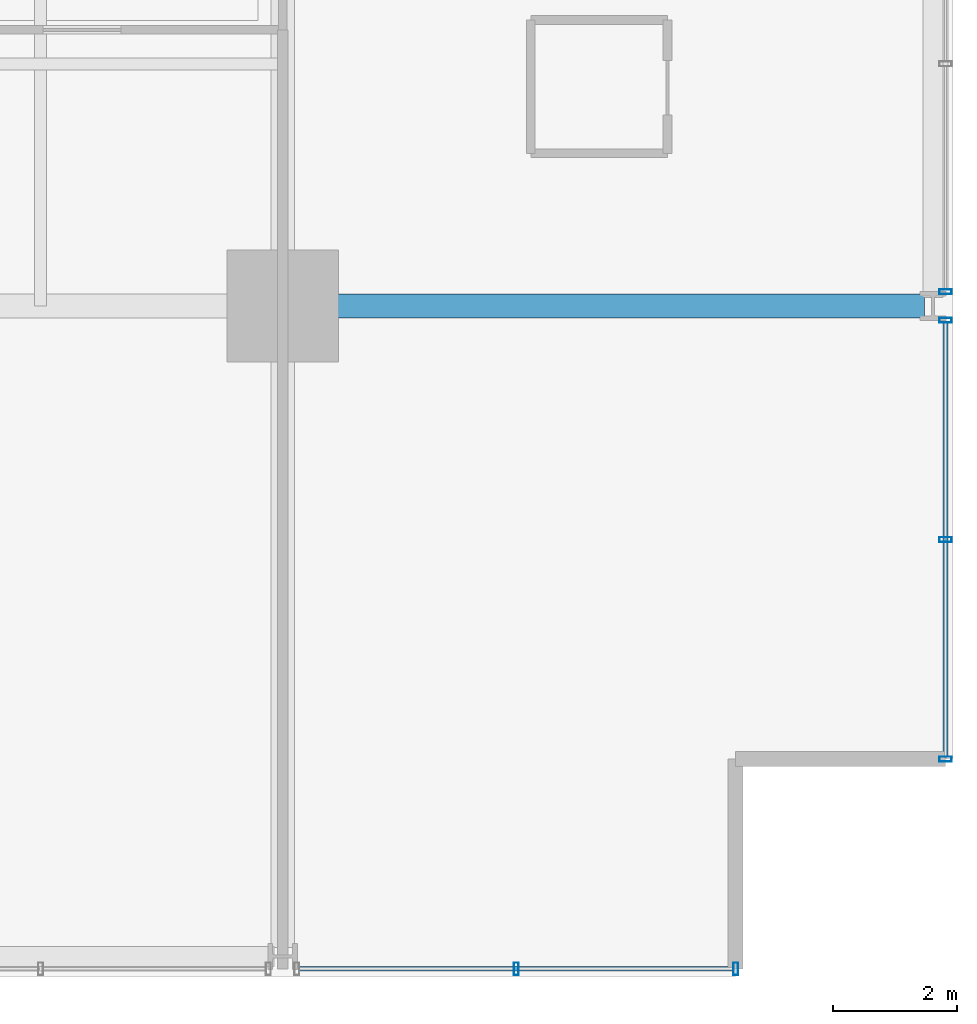
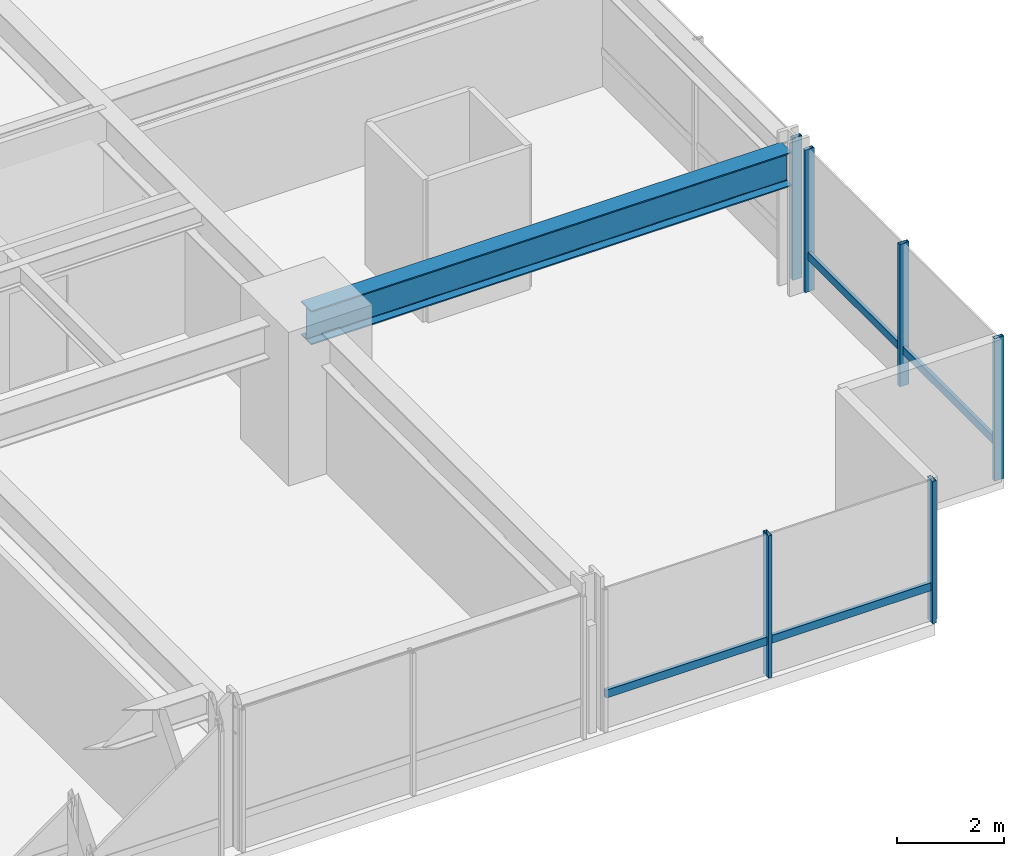
# One storey, part 13 of 37: 8 members, 1 beam, 3 elements without a shape of their own.
"""IFC4 building model written with IfcOpenShell, lengths in metres."""

import ifcopenshell
import ifcopenshell.guid

model = None  # the IFC model being written
_history = None  # IfcOwnerHistory: only IFC2X3 demands one
_inside = {}  # id of a spatial element -> (the spatial element, [elements in it])
_under = {}  # id of a project, library or spatial element -> (it, [spatial elements below it])
_declared = {}  # id of a project -> (the project, [libraries it declares])
_typed = {}  # id of a type object -> (the type object, [elements of that type])
_made_of = {}  # id of a material, layer set ... -> (it, [elements and type objects made of it])


def new_model(schema):
    """Start an empty IFC model of exactly this schema.

    Asked for "IFC4X3", IfcOpenShell would pick the latest addendum, in which some entities
    have other attributes; the version numbers below select the first issue.
    IFC2X3 requires an IfcOwnerHistory on every rooted entity: one is made here for all.
    """
    global model, _history
    if schema == "IFC4X3":
        model = ifcopenshell.file(schema_version=(4, 3, 0, 0))
    else:
        model = ifcopenshell.file(schema=schema)
    _inside.clear()
    _under.clear()
    _declared.clear()
    _typed.clear()
    _made_of.clear()
    _history = None
    if model.schema == "IFC2X3":
        org = make("IfcOrganization", Name="unknown")
        user = make(
            "IfcPersonAndOrganization",
            ThePerson=make("IfcPerson", FamilyName="unknown"),
            TheOrganization=org,
        )
        app = make(
            "IfcApplication",
            ApplicationDeveloper=org,
            Version="unknown",
            ApplicationFullName="unknown",
            ApplicationIdentifier="unknown",
        )
        _history = make(
            "IfcOwnerHistory",
            OwningUser=user,
            OwningApplication=app,
            ChangeAction="ADDED",
            CreationDate=0,
        )
    return model


def make(cls, **values):
    """One entity of the class cls with the attributes given. An attribute that is None is left unset."""
    return model.create_entity(
        cls, **{name: value for name, value in values.items() if value is not None}
    )


def rooted(cls, **values):
    """An entity with a GlobalId (a new one), such as an element, a storey or a relation."""
    return make(cls, GlobalId=ifcopenshell.guid.new(), OwnerHistory=_history, **values)


def si_unit(unit_type, name, prefix=None):
    """IfcSIUnit, for example si_unit("LENGTHUNIT", "METRE", prefix="MILLI")."""
    return make("IfcSIUnit", UnitType=unit_type, Prefix=prefix, Name=name)


def assignment(units):
    """IfcUnitAssignment: the units of a project."""
    return None if units is None else make("IfcUnitAssignment", Units=units)


def point(xyz):
    """IfcCartesianPoint."""
    return None if xyz is None else make("IfcCartesianPoint", Coordinates=xyz)


def direction(xyz):
    """IfcDirection."""
    return None if xyz is None else make("IfcDirection", DirectionRatios=xyz)


def frame(location, z_axis=None, x_axis=None):
    """IfcAxis2Placement3D, a coordinate frame: its origin and axes. An axis left out is left unset."""
    return make(
        "IfcAxis2Placement3D",
        Location=point(location),
        Axis=direction(z_axis),
        RefDirection=direction(x_axis),
    )


def frame_2d(location, x_axis=None):
    """IfcAxis2Placement2D, a coordinate frame in the plane: its origin and x axis."""
    return make(
        "IfcAxis2Placement2D", Location=point(location), RefDirection=direction(x_axis)
    )


def origin():
    """The frame at (0, 0, 0) with its axes left unset."""
    return frame((0.0, 0.0, 0.0))


def origin_2d():
    """The frame at (0, 0) in the plane with its x axis left unset."""
    return frame_2d((0.0, 0.0))


def place(relative_to, where):
    """IfcLocalPlacement: puts the frame where relative to a parent placement (None: the world)."""
    return make(
        "IfcLocalPlacement", PlacementRelTo=relative_to, RelativePlacement=where
    )


def context(
    kind, dimensions, precision=None, world=None, true_north=None, identifier=None
):
    """IfcGeometricRepresentationContext, for example the 3D "Model" context."""
    return make(
        "IfcGeometricRepresentationContext",
        ContextIdentifier=identifier,
        ContextType=kind,
        CoordinateSpaceDimension=dimensions,
        Precision=precision,
        WorldCoordinateSystem=world,
        TrueNorth=true_north,
    )


def subcontext(parent, identifier, kind, view, scale=None):
    """IfcGeometricRepresentationSubContext, for example "Body" below "Model"."""
    return make(
        "IfcGeometricRepresentationSubContext",
        ContextIdentifier=identifier,
        ContextType=kind,
        ParentContext=parent,
        TargetScale=scale,
        TargetView=view,
    )


def project(units=None, contexts=None):
    """IfcProject with its units and contexts."""
    return rooted(
        "IfcProject",
        Name="project",
        RepresentationContexts=contexts,
        UnitsInContext=assignment(units),
    )


def spatial(cls, under=None, at=None, **own):
    """A site, building, storey or space (cls), placed at a placement, below another one or the project."""
    s = rooted(cls, ObjectPlacement=at, **own)
    if under is not None:
        _under.setdefault(under.id(), (under, []))[1].append(s)
    return s


def profile(cls, at=None, kind="AREA", **sizes):
    """A parametric profile (cls). Its sizes go by their IFC names, for example OverallWidth=200.0."""
    return make(cls, ProfileType=kind, Position=at, **sizes)


def hollow_rectangle(**sizes):
    """IfcRectangleHollowProfileDef."""
    return profile("IfcRectangleHollowProfileDef", **sizes)


def i_section(**sizes):
    """IfcIShapeProfileDef."""
    return profile("IfcIShapeProfileDef", **sizes)


def extrude(swept, where, along, depth):
    """IfcExtrudedAreaSolid: the profile swept, set in the frame where, extruded along a direction by depth."""
    return make(
        "IfcExtrudedAreaSolid",
        SweptArea=swept,
        Position=where,
        ExtrudedDirection=direction(along),
        Depth=depth,
    )


def shape(context_of_items, identifier, shape_type, items):
    """IfcShapeRepresentation: the items that make up one representation, for example the "Body"."""
    return make(
        "IfcShapeRepresentation",
        ContextOfItems=context_of_items,
        RepresentationIdentifier=identifier,
        RepresentationType=shape_type,
        Items=items,
    )


def material(Name=None, Category=None):
    """IfcMaterial."""
    return make("IfcMaterial", Name=Name, Category=Category)


def layer(
    of_material, thickness, ventilated=None, Name=None, Category=None, Priority=None
):
    """IfcMaterialLayer: one layer of a wall or slab, of a material (None: an air gap)."""
    return make(
        "IfcMaterialLayer",
        Material=of_material,
        LayerThickness=thickness,
        IsVentilated=ventilated,
        Name=Name,
        Category=Category,
        Priority=Priority,
    )


def layer_set(layers, Name=None):
    """IfcMaterialLayerSet."""
    return make("IfcMaterialLayerSet", MaterialLayers=layers, LayerSetName=Name)


def material_profile(
    of_material, cross_section, Name=None, Category=None, Priority=None
):
    """IfcMaterialProfile: a cross section and its material."""
    return make(
        "IfcMaterialProfile",
        Name=Name,
        Material=of_material,
        Profile=cross_section,
        Priority=Priority,
        Category=Category,
    )


def profile_set(profiles, Name=None, composite=None):
    """IfcMaterialProfileSet."""
    return make(
        "IfcMaterialProfileSet",
        Name=Name,
        MaterialProfiles=profiles,
        CompositeProfile=composite,
    )


def made_of(thing, what):
    """Note that an element or type object is made of a material, layer set ...; save() writes the relation."""
    if what is not None:
        _made_of.setdefault(what.id(), (what, []))[1].append(thing)
    return thing


def type_object(cls, material=None, **own):
    """A type object (cls), such as IfcWallType, which elements share."""
    return made_of(rooted(cls, **own), material)


def element(
    cls,
    number,
    at=None,
    inside=None,
    cuts=None,
    type_object=None,
    material=None,
    context=None,
    identifier="Body",
    shape_type=None,
    held_by="IfcProductDefinitionShape",
    body=None,
    shapes=None,
    **own,
):
    """One element of the class cls, such as IfcWall. Its Tag is "e" and its number.

    at: its placement. inside: the storey or other place that contains it. cuts: it is an
    opening in that element (IfcRelVoidsElement). A single representation is given by context,
    identifier, shape_type and body (its items); several are given by shapes. held_by: the class
    of the entity that holds the representations. save() writes the other relations.
    """
    e = rooted(cls, Tag="e%d" % number, ObjectPlacement=at, **own)
    if body is not None:
        shapes = [shape(context, identifier, shape_type, body)]
    if shapes is not None:
        e.Representation = make(held_by, Representations=shapes)
    if inside is not None:
        _inside.setdefault(inside.id(), (inside, []))[1].append(e)
    if cuts is not None:
        rooted(
            "IfcRelVoidsElement", RelatingBuildingElement=cuts, RelatedOpeningElement=e
        )
    if type_object is not None:
        _typed.setdefault(type_object.id(), (type_object, []))[1].append(e)
    return made_of(e, material)


def aggregate(whole, parts):
    """IfcRelAggregates: a whole, such as a stair, and the parts it consists of."""
    return rooted("IfcRelAggregates", RelatingObject=whole, RelatedObjects=parts)


def save(model, path):
    """Write the relations noted so far, then the file.

    IfcRelAggregates (storeys below a building ...), IfcRelContainedInSpatialStructure (elements
    in a storey), IfcRelDefinesByType, IfcRelAssociatesMaterial and IfcRelDeclares: one each for
    every whole, place, type object, material and project.
    """
    for whole, parts in _under.values():
        aggregate(whole, parts)
    for where, things in _inside.values():
        rooted(
            "IfcRelContainedInSpatialStructure",
            RelatedElements=things,
            RelatingStructure=where,
        )
    for kind, things in _typed.values():
        rooted("IfcRelDefinesByType", RelatedObjects=things, RelatingType=kind)
    for what, things in _made_of.values():
        rooted("IfcRelAssociatesMaterial", RelatedObjects=things, RelatingMaterial=what)
    for by, libraries in _declared.values():
        rooted("IfcRelDeclares", RelatingContext=by, RelatedDefinitions=libraries)
    model.write(path)


model = new_model("IFC4")

# Units and contexts
model_context = context("Model", 3, precision=1e-05, world=origin(), true_north=direction((0.0, 1.0)))
body_context = subcontext(model_context, "Body", "Model", "MODEL_VIEW")
ifc_project = project(units=[si_unit("LENGTHUNIT", "METRE"), si_unit("AREAUNIT", "SQUARE_METRE"), si_unit("VOLUMEUNIT", "CUBIC_METRE"), si_unit("PLANEANGLEUNIT", "RADIAN"), si_unit("MASSUNIT", "GRAM", prefix="KILO")], contexts=[model_context])

# Site, building, storey
site_placement = place(None, origin())
site = spatial("IfcSite", under=ifc_project, at=site_placement, CompositionType="ELEMENT")
building_placement = place(site_placement, origin())
building = spatial("IfcBuilding", under=site, at=building_placement, Name="Drelvath Grand Hotel", CompositionType="ELEMENT")
storey_placement = place(building_placement, frame((0.0, 0.0, 75.199951171875)))
storey = spatial("IfcBuildingStorey", under=building, at=storey_placement, Name="L18", CompositionType="ELEMENT", Elevation=75.199951171875)

# Curtain wall, member
ifc_material_1 = material(Name="Warm Bronze Anodised Aluminium Frame", Category="aluminium")
ifc_layer = layer(ifc_material_1, 0.199951171875)
ifc_layer_set = layer_set([ifc_layer], Name="Warm Bronze Anodised Aluminium Frame")
curtain_wall_type = type_object("IfcCurtainWallType", Name="Stick Curtain Wall CW-02 Warm Bronze Low-Rise", PredefinedType="NOTDEFINED", material=ifc_layer_set)
curtain_wall_1_placement = place(storey_placement, origin())
curtain_wall_1 = element("IfcCurtainWall", 1, at=curtain_wall_1_placement, inside=storey, type_object=curtain_wall_type, Name="L18 CW-02 Curtain Wall CW02-L18-ES1", PredefinedType="NOTDEFINED")
ifc_material_profile_1 = material_profile(ifc_material_1, hollow_rectangle(XDim=0.074951171875, YDim=0.179931640625, WallThickness=0.0048828125, at=origin_2d()), Name="HSS180X75X5")
ifc_profile_set_1 = profile_set([ifc_material_profile_1], Name="Warm Bronze Anodised Aluminium Frame")
member_type_1 = type_object("IfcMemberType", Name="Curtain Wall Horizontal Transom CW-02 HSS180X75X5", PredefinedType="USERDEFINED", material=ifc_profile_set_1)
member_1_placement = place(storey_placement, frame((26.8798828125, 10.531005859375, 0.81005859375), z_axis=(0.0, -1.0, 0.0), x_axis=(1.0, 0.0, 0.0)))
member_1 = element("IfcMember", 2, at=member_1_placement, type_object=member_type_1, Name="CW02-L18-ES1 Sill Transom", ObjectType="TRANSOM", PredefinedType="USERDEFINED", context=body_context, shape_type="SweptSolid", body=[
    extrude(hollow_rectangle(XDim=0.074951171875, YDim=0.179931640625, WallThickness=0.0048828125, at=origin_2d()), origin(), (0.0, 0.0, 1.0), 6.990966796875),
])

curtain_wall_2_placement = place(storey_placement, origin())
curtain_wall_2 = element("IfcCurtainWall", 3, at=curtain_wall_2_placement, inside=storey, type_object=curtain_wall_type, Name="L18 CW-02 Curtain Wall CW02-L18-SE3", PredefinedType="NOTDEFINED")
member_2_placement = place(storey_placement, frame((23.4599609375, 0.1201171875, 0.81005859375), z_axis=(-1.0, 0.0, 0.0), x_axis=(0.0, -1.0, 0.0)))
member_2 = element("IfcMember", 4, at=member_2_placement, type_object=member_type_1, Name="CW02-L18-SE3 Sill Transom", ObjectType="TRANSOM", PredefinedType="USERDEFINED", context=body_context, shape_type="SweptSolid", body=[
    extrude(hollow_rectangle(XDim=0.074951171875, YDim=0.179931640625, WallThickness=0.0048828125, at=origin_2d()), origin(), (0.0, 0.0, 1.0), 6.990966796875),
])

# Member
ifc_material_profile_2 = material_profile(ifc_material_1, hollow_rectangle(XDim=0.080078125, YDim=0.199951171875, WallThickness=0.0048828125, at=origin_2d()), Name="HSS200X80X5")
ifc_profile_set_2 = profile_set([ifc_material_profile_2], Name="Warm Bronze Anodised Aluminium Frame")
member_type_2 = type_object("IfcMemberType", Name="Curtain Wall Vertical Mullion CW-02 HSS200X80X5", PredefinedType="MULLION", material=ifc_profile_set_2)
member_3_placement = place(storey_placement, frame((26.8798828125, 10.57080078125, 0.0), z_axis=(0.0, 0.0, 1.0), x_axis=(0.0, 1.0, 0.0)))
member_3 = element("IfcMember", 5, at=member_3_placement, type_object=member_type_2, Name="CW02-L18-ES1 Mullion 1", PredefinedType="MULLION", context=body_context, shape_type="SweptSolid", body=[
    extrude(hollow_rectangle(XDim=0.080078125, YDim=0.199951171875, WallThickness=0.0048828125, at=origin_2d()), origin(), (0.0, 0.0, 1.0), 3.239990234375),
])

member_4_placement = place(storey_placement, frame((26.8798828125, 7.035400390625, 0.0), z_axis=(0.0, 0.0, 1.0), x_axis=(0.0, 1.0, 0.0)))
member_4 = element("IfcMember", 6, at=member_4_placement, type_object=member_type_2, Name="CW02-L18-ES1 Mullion 2", PredefinedType="MULLION", context=body_context, shape_type="SweptSolid", body=[
    extrude(hollow_rectangle(XDim=0.080078125, YDim=0.199951171875, WallThickness=0.0048828125, at=origin_2d()), origin(), (0.0, 0.0, 1.0), 3.239990234375),
])

member_5_placement = place(storey_placement, frame((26.8798828125, 3.5, 0.0), z_axis=(0.0, 0.0, 1.0), x_axis=(0.0, 1.0, 0.0)))
member_5 = element("IfcMember", 7, at=member_5_placement, type_object=member_type_2, Name="CW02-L18-ES1 Mullion 3", PredefinedType="MULLION", context=body_context, shape_type="SweptSolid", body=[
    extrude(hollow_rectangle(XDim=0.080078125, YDim=0.199951171875, WallThickness=0.0048828125, at=origin_2d()), origin(), (0.0, 0.0, 1.0), 3.239990234375),
])

aggregate(curtain_wall_1, [member_3, member_4, member_5, member_1])

# Curtain wall, member
curtain_wall_3_placement = place(storey_placement, origin())
curtain_wall_3 = element("IfcCurtainWall", 8, at=curtain_wall_3_placement, inside=storey, type_object=curtain_wall_type, Name="L18 CW-02 Curtain Wall CW02-L18-ES2", PredefinedType="NOTDEFINED")
member_6_placement = place(storey_placement, frame((26.8798828125, 11.029052734375, 0.0), z_axis=(0.0, 0.0, 1.0), x_axis=(0.0, 1.0, 0.0)))
member_6 = element("IfcMember", 9, at=member_6_placement, type_object=member_type_2, Name="CW02-L18-ES2 Mullion 3", PredefinedType="MULLION", context=body_context, shape_type="SweptSolid", body=[
    extrude(hollow_rectangle(XDim=0.080078125, YDim=0.199951171875, WallThickness=0.0048828125, at=origin_2d()), origin(), (0.0, 0.0, 1.0), 3.239990234375),
])
aggregate(curtain_wall_3, [member_6])

# Member
member_7_placement = place(storey_placement, frame((23.5, 0.1201171875, 0.0), z_axis=(0.0, 0.0, 1.0), x_axis=(1.0, 0.0, 0.0)))
member_7 = element("IfcMember", 10, at=member_7_placement, type_object=member_type_2, Name="CW02-L18-SE3 Mullion 1", PredefinedType="MULLION", context=body_context, shape_type="SweptSolid", body=[
    extrude(hollow_rectangle(XDim=0.080078125, YDim=0.199951171875, WallThickness=0.0048828125, at=origin_2d()), origin(), (0.0, 0.0, 1.0), 3.239990234375),
])

member_8_placement = place(storey_placement, frame((19.964599609375, 0.1201171875, 0.0), z_axis=(0.0, 0.0, 1.0), x_axis=(1.0, 0.0, 0.0)))
member_8 = element("IfcMember", 11, at=member_8_placement, type_object=member_type_2, Name="CW02-L18-SE3 Mullion 2", PredefinedType="MULLION", context=body_context, shape_type="SweptSolid", body=[
    extrude(hollow_rectangle(XDim=0.080078125, YDim=0.199951171875, WallThickness=0.0048828125, at=origin_2d()), origin(), (0.0, 0.0, 1.0), 3.239990234375),
])

aggregate(curtain_wall_2, [member_7, member_8, member_2])

# Beam
ifc_material_2 = material(Name="Steel ASTM A992 Gr 50", Category="steel")
ifc_material_profile_3 = material_profile(ifc_material_2, i_section(OverallWidth=0.380615234375, OverallDepth=0.773193359375, WebThickness=0.0166015625, FlangeThickness=0.027099609375, FilletRadius=0.02490234375, at=origin_2d()), Name="W30X173")
ifc_profile_set_3 = profile_set([ifc_material_profile_3], Name="Steel ASTM A992 Gr 50")
beam_type = type_object("IfcBeamType", Name="Primary Floor Girder W30X173", PredefinedType="BEAM", material=ifc_profile_set_3)
beam_placement = place(storey_placement, frame((16.199951171875, 10.800048828125, 2.853515625), z_axis=(1.0, 0.0, 0.0), x_axis=(0.0, 1.0, 0.0)))
element("IfcBeam", 12, at=beam_placement, inside=storey, type_object=beam_type, Name="L18 East Grid Girder C", PredefinedType="BEAM", context=body_context, shape_type="SweptSolid", body=[
    extrude(i_section(OverallWidth=0.380615234375, OverallDepth=0.773193359375, WebThickness=0.0166015625, FlangeThickness=0.027099609375, FilletRadius=0.02490234375, at=origin_2d()), origin(), (0.0, 0.0, 1.0), 10.340087890625),
])

save(model, "model.ifc")
